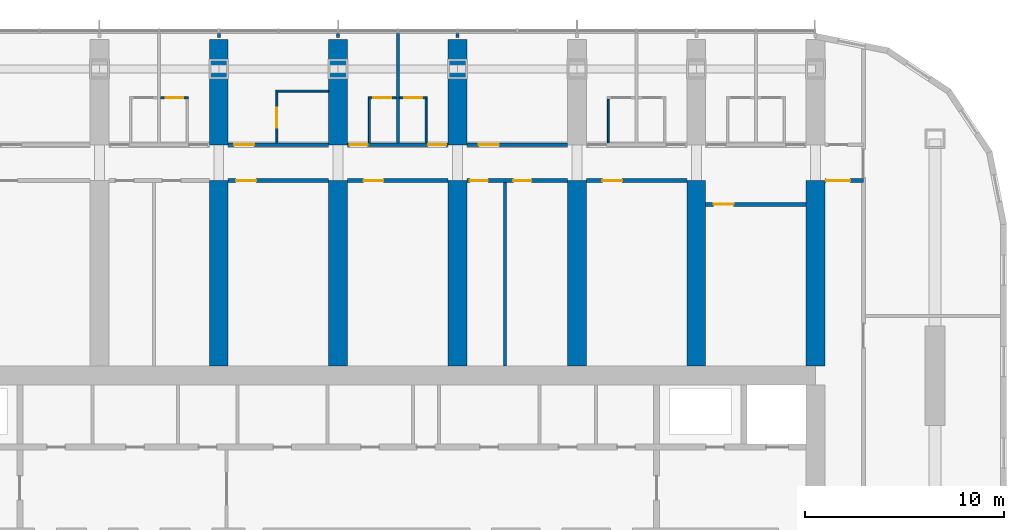
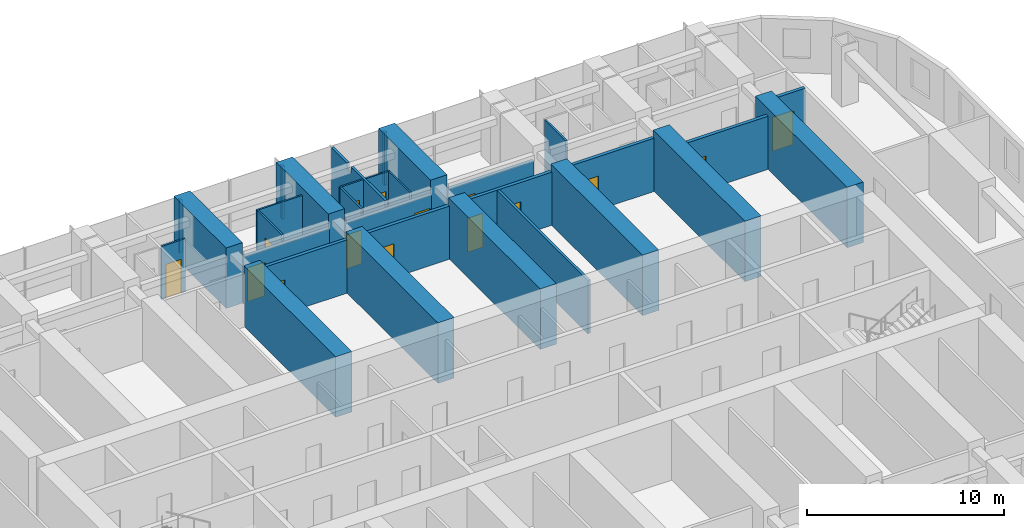
# One storey, part 14 of 21: 31 walls, 15 doors, 15 openings.
"""IFC4 building model written with IfcOpenShell, lengths in metres."""

from ifc_helpers import new_model, si_unit, direction, frame, frame_2d, origin, place, context, subcontext, project, spatial, polyline, rectangle, outline, extrude, material, layer, layer_set, type_object, element, fill, save


model = new_model("IFC4")

# Units and contexts
model_context = context("Model", 3, precision=1e-05, world=origin(), true_north=direction((0.0, 1.0)))
body_context = subcontext(model_context, "Body", "Model", "MODEL_VIEW")
ifc_project = project(units=[si_unit("LENGTHUNIT", "METRE"), si_unit("AREAUNIT", "SQUARE_METRE"), si_unit("VOLUMEUNIT", "CUBIC_METRE"), si_unit("PLANEANGLEUNIT", "RADIAN"), si_unit("MASSUNIT", "GRAM", prefix="KILO")], contexts=[model_context])

# Site, building, storey
site_placement = place(None, origin())
site = spatial("IfcSite", under=ifc_project, at=site_placement, CompositionType="ELEMENT")
building_placement = place(site_placement, origin())
building = spatial("IfcBuilding", under=site, at=building_placement, Name="Orbita Commons", CompositionType="ELEMENT")
storey_placement = place(building_placement, frame((0.0, 0.0, 95.64990234375)))
storey = spatial("IfcBuildingStorey", under=building, at=storey_placement, Name="L23", CompositionType="ELEMENT", Elevation=95.64990234375)

# Wall, opening, door
ifc_material_1 = material(Name="Concrete blockwork", Category="masonry")
ifc_layer_1 = layer(ifc_material_1, 0.199951171875)
ifc_layer_set_1 = layer_set([ifc_layer_1], Name="Concrete blockwork")
wall_type_1 = type_object("IfcWallType", Name="Corridor wall 200 blockwork", PredefinedType="SOLIDWALL", material=ifc_layer_set_1)
wall_1_placement = place(storey_placement, frame((36.47509765625, 49.800048828125, 0.0), z_axis=(0.0, 0.0, 1.0), x_axis=(1.0, 0.0, 0.0)))
wall_1 = element("IfcWall", 1, at=wall_1_placement, inside=storey, type_object=wall_type_1, Name="Corridor wall 200 blockwork L23", PredefinedType="SOLIDWALL", context=body_context, shape_type="SweptSolid", body=[
    extrude(outline(polyline([(0.0, 0.0), (5.0498046875, 0.0), (5.050048828125, 2.900146484375), (0.0, 2.900146484375), (0.0, 0.0)])), frame((0.0, 0.10009765625, 0.0), z_axis=(0.0, -1.0, 0.0), x_axis=(1.0, 0.0, 0.0)), (0.0, 0.0, 1.0), 0.199951171875),
])
opening_1_placement = place(wall_1_placement, frame((0.300048828125, 0.0, 0.0)))
opening_1 = element("IfcOpeningElement", 2, at=opening_1_placement, cuts=wall_1, Name="Opening D06", PredefinedType="OPENING", context=body_context, shape_type="SweptSolid", body=[
    extrude(rectangle(XDim=1.0, YDim=2.10009765625, at=frame_2d((0.5, 1.050048828125))), frame((0.0, 0.10986328125, 0.0), z_axis=(0.0, -1.0, 0.0), x_axis=(1.0, 0.0, 0.0)), (0.0, 0.0, 1.0), 0.219970703125),
])
ifc_material_2 = material(Name="Steel-faced fire door leaf", Category="steel")
door_type_1 = type_object("IfcDoorType", Name="Corridor door 20 min 1000x2100", OperationType="SINGLE_SWING_LEFT", PredefinedType="DOOR", material=ifc_material_2)
door_1_placement = place(opening_1_placement, origin())
door_1 = element("IfcDoor", 3, at=door_1_placement, inside=storey, type_object=door_type_1, Name="Accessible bedroom L23-N08 door", OperationType="SINGLE_SWING_LEFT", OverallHeight=2.10009765625, OverallWidth=1.0, PredefinedType="DOOR", context=body_context, shape_type="SweptSolid", body=[
    extrude(rectangle(XDim=1.0, YDim=2.10009765625, at=frame_2d((0.5, 1.050048828125))), frame((0.0, 0.02490234375, 0.0), z_axis=(0.0, -1.0, 0.0), x_axis=(1.0, 0.0, 0.0)), (0.0, 0.0, 1.0), 0.050048828125),
])
fill(opening_1, door_1)

# Wall, openings, doors
wall_2_placement = place(storey_placement, frame((42.47509765625, 49.800048828125, 0.0), z_axis=(0.0, 0.0, 1.0), x_axis=(1.0, 0.0, 0.0)))
wall_2 = element("IfcWall", 4, at=wall_2_placement, inside=storey, type_object=wall_type_1, Name="Corridor wall 200 blockwork L23", PredefinedType="SOLIDWALL", context=body_context, shape_type="SweptSolid", body=[
    extrude(outline(polyline([(0.0, 0.0), (5.0498046875, 0.0), (5.050048828125, 2.900146484375), (0.0, 2.900146484375), (0.0, 0.0)])), frame((0.0, 0.10009765625, 0.0), z_axis=(0.0, -1.0, 0.0), x_axis=(1.0, 0.0, 0.0)), (0.0, 0.0, 1.0), 0.199951171875),
])
opening_2_placement = place(wall_2_placement, frame((0.10009765625, 0.0, 0.0)))
opening_2 = element("IfcOpeningElement", 5, at=opening_2_placement, cuts=wall_2, Name="Opening D11", PredefinedType="OPENING", context=body_context, shape_type="SweptSolid", body=[
    extrude(rectangle(XDim=0.89990234375, YDim=2.10009765625, at=frame_2d((0.449951171875, 1.050048828125))), frame((0.0, 0.10986328125, 0.0), z_axis=(0.0, -1.0, 0.0), x_axis=(1.0, 0.0, 0.0)), (0.0, 0.0, 1.0), 0.219970703125),
])
opening_3_placement = place(wall_2_placement, frame((4.050048828125, 0.0, 0.0)))
opening_3 = element("IfcOpeningElement", 6, at=opening_3_placement, cuts=wall_2, Name="Opening D11", PredefinedType="OPENING", context=body_context, shape_type="SweptSolid", body=[
    extrude(rectangle(XDim=0.89990234375, YDim=2.10009765625, at=frame_2d((0.449951171875, 1.050048828125))), frame((0.0, 0.10986328125, 0.0), z_axis=(0.0, -1.0, 0.0), x_axis=(1.0, 0.0, 0.0)), (0.0, 0.0, 1.0), 0.219970703125),
])
ifc_material_3 = material(Name="Steel-faced fire door leaf", Category="steel")
door_type_2 = type_object("IfcDoorType", Name="Corridor door 20 min 900x2100", OperationType="SINGLE_SWING_LEFT", PredefinedType="DOOR", material=ifc_material_3)
door_2_placement = place(opening_2_placement, origin())
door_2 = element("IfcDoor", 7, at=door_2_placement, inside=storey, type_object=door_type_2, Name="Cluster bedroom L23-N10 door", OperationType="SINGLE_SWING_LEFT", OverallHeight=2.10009765625, OverallWidth=0.89990234375, PredefinedType="DOOR", context=body_context, shape_type="SweptSolid", body=[
    extrude(rectangle(XDim=0.89990234375, YDim=2.10009765625, at=frame_2d((0.449951171875, 1.050048828125))), frame((0.0, 0.02490234375, 0.0), z_axis=(0.0, -1.0, 0.0), x_axis=(1.0, 0.0, 0.0)), (0.0, 0.0, 1.0), 0.050048828125),
])
fill(opening_2, door_2)
door_3_placement = place(opening_3_placement, origin())
door_3 = element("IfcDoor", 8, at=door_3_placement, inside=storey, type_object=door_type_2, Name="Cluster bedroom L23-N11 door", OperationType="SINGLE_SWING_LEFT", OverallHeight=2.10009765625, OverallWidth=0.89990234375, PredefinedType="DOOR", context=body_context, shape_type="SweptSolid", body=[
    extrude(rectangle(XDim=0.89990234375, YDim=2.10009765625, at=frame_2d((0.449951171875, 1.050048828125))), frame((0.0, 0.02490234375, 0.0), z_axis=(0.0, -1.0, 0.0), x_axis=(1.0, 0.0, 0.0)), (0.0, 0.0, 1.0), 0.050048828125),
])
fill(opening_3, door_3)

# Wall, opening, door
wall_3_placement = place(storey_placement, frame((48.47509765625, 49.800048828125, 0.0), z_axis=(0.0, 0.0, 1.0), x_axis=(1.0, 0.0, 0.0)))
wall_3 = element("IfcWall", 9, at=wall_3_placement, inside=storey, type_object=wall_type_1, Name="Corridor wall 200 blockwork L23", PredefinedType="SOLIDWALL", context=body_context, shape_type="SweptSolid", body=[
    extrude(outline(polyline([(0.0, 0.0), (5.0498046875, 0.0), (5.050048828125, 2.900146484375), (0.0, 2.900146484375), (0.0, 0.0)])), frame((0.0, 0.10009765625, 0.0), z_axis=(0.0, -1.0, 0.0), x_axis=(1.0, 0.0, 0.0)), (0.0, 0.0, 1.0), 0.199951171875),
])
opening_4_placement = place(wall_3_placement, frame((0.60009765625, 0.0, 0.0)))
opening_4 = element("IfcOpeningElement", 10, at=opening_4_placement, cuts=wall_3, Name="Opening D06", PredefinedType="OPENING", context=body_context, shape_type="SweptSolid", body=[
    extrude(rectangle(XDim=1.0, YDim=2.10009765625, at=frame_2d((0.5, 1.050048828125))), frame((0.0, 0.10986328125, 0.0), z_axis=(0.0, -1.0, 0.0), x_axis=(1.0, 0.0, 0.0)), (0.0, 0.0, 1.0), 0.219970703125),
])
door_4_placement = place(opening_4_placement, origin())
door_4 = element("IfcDoor", 11, at=door_4_placement, inside=storey, type_object=door_type_1, Name="Cluster kitchen-diner L23-N12 door", OperationType="SINGLE_SWING_LEFT", OverallHeight=2.10009765625, OverallWidth=1.0, PredefinedType="DOOR", context=body_context, shape_type="SweptSolid", body=[
    extrude(rectangle(XDim=1.0, YDim=2.10009765625, at=frame_2d((0.5, 1.050048828125))), frame((0.0, 0.02490234375, 0.0), z_axis=(0.0, -1.0, 0.0), x_axis=(1.0, 0.0, 0.0)), (0.0, 0.0, 1.0), 0.050048828125),
])
fill(opening_4, door_4)

ifc_material_4 = material(Name="Hollow concrete block 200", Category="concrete")
ifc_layer_2 = layer(ifc_material_4, 0.199951171875)
ifc_layer_set_2 = layer_set([ifc_layer_2], Name="Hollow concrete block 200")
wall_type_2 = type_object("IfcWallType", Name="Corridor wall 200 hollow concrete block", PredefinedType="SOLIDWALL", material=ifc_layer_set_2)
wall_4_placement = place(storey_placement, frame((36.47509765625, 48.0, 0.0), z_axis=(0.0, 0.0, 1.0), x_axis=(1.0, 0.0, 0.0)))
wall_4 = element("IfcWall", 12, at=wall_4_placement, inside=storey, type_object=wall_type_2, Name="Corridor wall 200 hollow concrete block L23", PredefinedType="SOLIDWALL", context=body_context, shape_type="SweptSolid", body=[
    extrude(rectangle(XDim=5.0498046875, YDim=0.199951171875, at=frame_2d((2.52490234375, 0.0))), origin(), (0.0, 0.0, 1.0), 3.300048828125),
])
opening_5_placement = place(wall_4_placement, frame((0.39990234375, 0.0, 0.0)))
opening_5 = element("IfcOpeningElement", 13, at=opening_5_placement, cuts=wall_4, Name="Opening D06", PredefinedType="OPENING", context=body_context, shape_type="SweptSolid", body=[
    extrude(rectangle(XDim=1.0, YDim=2.10009765625, at=frame_2d((0.5, 1.050048828125))), frame((0.0, 0.10986328125, 0.0), z_axis=(0.0, -1.0, 0.0), x_axis=(1.0, 0.0, 0.0)), (0.0, 0.0, 1.0), 0.219970703125),
])
door_5_placement = place(opening_5_placement, origin())
door_5 = element("IfcDoor", 14, at=door_5_placement, inside=storey, type_object=door_type_1, Name="Refuse and recycling room L23-BDN36 door", OperationType="SINGLE_SWING_LEFT", OverallHeight=2.10009765625, OverallWidth=1.0, PredefinedType="DOOR", context=body_context, shape_type="SweptSolid", body=[
    extrude(rectangle(XDim=1.0, YDim=2.10009765625, at=frame_2d((0.5, 1.050048828125))), frame((0.0, 0.02490234375, 0.0), z_axis=(0.0, -1.0, 0.0), x_axis=(1.0, 0.0, 0.0)), (0.0, 0.0, 1.0), 0.050048828125),
])
fill(opening_5, door_5)

wall_5_placement = place(storey_placement, frame((42.47509765625, 48.0, 0.0), z_axis=(0.0, 0.0, 1.0), x_axis=(1.0, 0.0, 0.0)))
wall_5 = element("IfcWall", 15, at=wall_5_placement, inside=storey, type_object=wall_type_2, Name="Corridor wall 200 hollow concrete block L23", PredefinedType="SOLIDWALL", context=body_context, shape_type="SweptSolid", body=[
    extrude(rectangle(XDim=5.0498046875, YDim=0.199951171875, at=frame_2d((2.52490234375, 0.0))), origin(), (0.0, 0.0, 1.0), 3.300048828125),
])
opening_6_placement = place(wall_5_placement, frame((0.800048828125, 0.0, 0.0)))
opening_6 = element("IfcOpeningElement", 16, at=opening_6_placement, cuts=wall_5, Name="Opening D06", PredefinedType="OPENING", context=body_context, shape_type="SweptSolid", body=[
    extrude(rectangle(XDim=1.0, YDim=2.10009765625, at=frame_2d((0.5, 1.050048828125))), frame((0.0, 0.10986328125, 0.0), z_axis=(0.0, -1.0, 0.0), x_axis=(1.0, 0.0, 0.0)), (0.0, 0.0, 1.0), 0.219970703125),
])
door_6_placement = place(opening_6_placement, origin())
door_6 = element("IfcDoor", 17, at=door_6_placement, inside=storey, type_object=door_type_1, Name="Drying room L23-BDN42 door", OperationType="SINGLE_SWING_LEFT", OverallHeight=2.10009765625, OverallWidth=1.0, PredefinedType="DOOR", context=body_context, shape_type="SweptSolid", body=[
    extrude(rectangle(XDim=1.0, YDim=2.10009765625, at=frame_2d((0.5, 1.050048828125))), frame((0.0, 0.02490234375, 0.0), z_axis=(0.0, -1.0, 0.0), x_axis=(1.0, 0.0, 0.0)), (0.0, 0.0, 1.0), 0.050048828125),
])
fill(opening_6, door_6)

# Wall, openings, doors
wall_6_placement = place(storey_placement, frame((48.47509765625, 48.0, 0.0), z_axis=(0.0, 0.0, 1.0), x_axis=(1.0, 0.0, 0.0)))
wall_6 = element("IfcWall", 18, at=wall_6_placement, inside=storey, type_object=wall_type_2, Name="Corridor wall 200 hollow concrete block L23", PredefinedType="SOLIDWALL", context=body_context, shape_type="SweptSolid", body=[
    extrude(rectangle(XDim=5.0498046875, YDim=0.199951171875, at=frame_2d((2.52490234375, 0.0))), origin(), (0.0, 0.0, 1.0), 3.300048828125),
])
opening_7_placement = place(wall_6_placement, frame((0.14990234375, 0.0, 0.0)))
opening_7 = element("IfcOpeningElement", 19, at=opening_7_placement, cuts=wall_6, Name="Opening D11", PredefinedType="OPENING", context=body_context, shape_type="SweptSolid", body=[
    extrude(rectangle(XDim=0.89990234375, YDim=2.10009765625, at=frame_2d((0.449951171875, 1.050048828125))), frame((0.0, 0.10986328125, 0.0), z_axis=(0.0, -1.0, 0.0), x_axis=(1.0, 0.0, 0.0)), (0.0, 0.0, 1.0), 0.219970703125),
])
opening_8_placement = place(wall_6_placement, frame((2.3349609375, 0.0, 0.0)))
opening_8 = element("IfcOpeningElement", 20, at=opening_8_placement, cuts=wall_6, Name="Opening D11", PredefinedType="OPENING", context=body_context, shape_type="SweptSolid", body=[
    extrude(rectangle(XDim=0.89990234375, YDim=2.10009765625, at=frame_2d((0.449951171875, 1.050048828125))), frame((0.0, 0.10986328125, 0.0), z_axis=(0.0, -1.0, 0.0), x_axis=(1.0, 0.0, 0.0)), (0.0, 0.0, 1.0), 0.219970703125),
])
door_7_placement = place(opening_7_placement, origin())
door_7 = element("IfcDoor", 21, at=door_7_placement, inside=storey, type_object=door_type_2, Name="Battery and UPS room L23-BDN48n door", OperationType="SINGLE_SWING_LEFT", OverallHeight=2.10009765625, OverallWidth=0.89990234375, PredefinedType="DOOR", context=body_context, shape_type="SweptSolid", body=[
    extrude(rectangle(XDim=0.89990234375, YDim=2.10009765625, at=frame_2d((0.449951171875, 1.050048828125))), frame((0.0, 0.02490234375, 0.0), z_axis=(0.0, -1.0, 0.0), x_axis=(1.0, 0.0, 0.0)), (0.0, 0.0, 1.0), 0.050048828125),
])
fill(opening_7, door_7)
door_8_placement = place(opening_8_placement, origin())
door_8 = element("IfcDoor", 22, at=door_8_placement, inside=storey, type_object=door_type_2, Name="Cleaners store L23-BDN48 door", OperationType="SINGLE_SWING_LEFT", OverallHeight=2.10009765625, OverallWidth=0.89990234375, PredefinedType="DOOR", context=body_context, shape_type="SweptSolid", body=[
    extrude(rectangle(XDim=0.89990234375, YDim=2.10009765625, at=frame_2d((0.449951171875, 1.050048828125))), frame((0.0, 0.02490234375, 0.0), z_axis=(0.0, -1.0, 0.0), x_axis=(1.0, 0.0, 0.0)), (0.0, 0.0, 1.0), 0.050048828125),
])
fill(opening_8, door_8)

# Wall, opening, door
wall_7_placement = place(storey_placement, frame((54.47509765625, 48.0, 0.0), z_axis=(0.0, 0.0, 1.0), x_axis=(1.0, 0.0, 0.0)))
wall_7 = element("IfcWall", 23, at=wall_7_placement, inside=storey, type_object=wall_type_2, Name="Corridor wall 200 hollow concrete block L23", PredefinedType="SOLIDWALL", context=body_context, shape_type="SweptSolid", body=[
    extrude(rectangle(XDim=5.0498046875, YDim=0.199951171875, at=frame_2d((2.52490234375, 0.0))), origin(), (0.0, 0.0, 1.0), 3.300048828125),
])
opening_9_placement = place(wall_7_placement, frame((0.800048828125, 0.0, 0.0)))
opening_9 = element("IfcOpeningElement", 24, at=opening_9_placement, cuts=wall_7, Name="Opening D06", PredefinedType="OPENING", context=body_context, shape_type="SweptSolid", body=[
    extrude(rectangle(XDim=1.0, YDim=2.10009765625, at=frame_2d((0.5, 1.050048828125))), frame((0.0, 0.10986328125, 0.0), z_axis=(0.0, -1.0, 0.0), x_axis=(1.0, 0.0, 0.0)), (0.0, 0.0, 1.0), 0.219970703125),
])
door_9_placement = place(opening_9_placement, origin())
door_9 = element("IfcDoor", 25, at=door_9_placement, inside=storey, type_object=door_type_1, Name="Store L23-BDN54 door", OperationType="SINGLE_SWING_LEFT", OverallHeight=2.10009765625, OverallWidth=1.0, PredefinedType="DOOR", context=body_context, shape_type="SweptSolid", body=[
    extrude(rectangle(XDim=1.0, YDim=2.10009765625, at=frame_2d((0.5, 1.050048828125))), frame((0.0, 0.02490234375, 0.0), z_axis=(0.0, -1.0, 0.0), x_axis=(1.0, 0.0, 0.0)), (0.0, 0.0, 1.0), 0.050048828125),
])
fill(opening_9, door_9)

wall_8_placement = place(storey_placement, frame((66.47509765625, 48.0, 0.0), z_axis=(0.0, 0.0, 1.0), x_axis=(1.0, 0.0, 0.0)))
wall_8 = element("IfcWall", 26, at=wall_8_placement, inside=storey, type_object=wall_type_2, Name="Corridor wall 200 hollow concrete block L23", PredefinedType="SOLIDWALL", context=body_context, shape_type="SweptSolid", body=[
    extrude(rectangle(XDim=1.9248046875, YDim=0.199951171875, at=frame_2d((0.96240234375, 0.0))), origin(), (0.0, 0.0, 1.0), 3.300048828125),
])
opening_10_placement = place(wall_8_placement, frame((0.050048828125, 0.0, 0.0)))
opening_10 = element("IfcOpeningElement", 27, at=opening_10_placement, cuts=wall_8, Name="Opening D12", PredefinedType="OPENING", context=body_context, shape_type="SweptSolid", body=[
    extrude(rectangle(XDim=1.199951171875, YDim=2.10009765625, at=frame_2d((0.60009765625, 1.050048828125))), frame((0.0, 0.10986328125, 0.0), z_axis=(0.0, -1.0, 0.0), x_axis=(1.0, 0.0, 0.0)), (0.0, 0.0, 1.0), 0.219970703125),
])
ifc_material_5 = material(Name="Steel-faced fire door leaf", Category="steel")
door_type_3 = type_object("IfcDoorType", Name="Double corridor door 20 min 1200x2100", OperationType="DOUBLE_DOOR_SINGLE_SWING", PredefinedType="DOOR", material=ifc_material_5)
door_10_placement = place(opening_10_placement, origin())
door_10 = element("IfcDoor", 28, at=door_10_placement, inside=storey, type_object=door_type_3, Name="Cross corridor doors", OperationType="DOUBLE_DOOR_SINGLE_SWING", OverallHeight=2.10009765625, OverallWidth=1.199951171875, PredefinedType="DOOR", context=body_context, shape_type="SweptSolid", body=[
    extrude(rectangle(XDim=1.199951171875, YDim=2.10009765625, at=frame_2d((0.60009765625, 1.050048828125))), frame((0.0, 0.02490234375, 0.0), z_axis=(0.0, -1.0, 0.0), x_axis=(1.0, 0.0, 0.0)), (0.0, 0.0, 1.0), 0.050048828125),
])
fill(opening_10, door_10)

wall_9_placement = place(storey_placement, frame((60.47509765625, 46.800048828125, 0.0), z_axis=(0.0, 0.0, 1.0), x_axis=(1.0, 0.0, 0.0)))
wall_9 = element("IfcWall", 29, at=wall_9_placement, inside=storey, type_object=wall_type_2, Name="Corridor wall 200 hollow concrete block L23", PredefinedType="SOLIDWALL", context=body_context, shape_type="SweptSolid", body=[
    extrude(rectangle(XDim=5.0498046875, YDim=0.199951171875, at=frame_2d((2.52490234375, 0.0))), origin(), (0.0, 0.0, 1.0), 3.300048828125),
])
opening_11_placement = place(wall_9_placement, frame((0.39990234375, 0.0, 0.0)))
opening_11 = element("IfcOpeningElement", 30, at=opening_11_placement, cuts=wall_9, Name="Opening D06", PredefinedType="OPENING", context=body_context, shape_type="SweptSolid", body=[
    extrude(rectangle(XDim=1.0, YDim=2.10009765625, at=frame_2d((0.5, 1.050048828125))), frame((0.0, 0.10986328125, 0.0), z_axis=(0.0, -1.0, 0.0), x_axis=(1.0, 0.0, 0.0)), (0.0, 0.0, 1.0), 0.219970703125),
])
door_11_placement = place(opening_11_placement, origin())
door_11 = element("IfcDoor", 31, at=door_11_placement, inside=storey, type_object=door_type_1, Name="Storage lockers L23-BDN60 door", OperationType="SINGLE_SWING_LEFT", OverallHeight=2.10009765625, OverallWidth=1.0, PredefinedType="DOOR", context=body_context, shape_type="SweptSolid", body=[
    extrude(rectangle(XDim=1.0, YDim=2.10009765625, at=frame_2d((0.5, 1.050048828125))), frame((0.0, 0.02490234375, 0.0), z_axis=(0.0, -1.0, 0.0), x_axis=(1.0, 0.0, 0.0)), (0.0, 0.0, 1.0), 0.050048828125),
])
fill(opening_11, door_11)

# Walls
ifc_material_6 = material(Name="Concrete C50/60", Category="concrete")
ifc_layer_3 = layer(ifc_material_6, 0.949951171875)
ifc_layer_set_3 = layer_set([ifc_layer_3], Name="Concrete C50/60")
wall_type_3 = type_object("IfcWallType", Name="Cross wall 950 C50/60", PredefinedType="SHEAR", material=ifc_layer_set_3)
wall_10_placement = place(storey_placement, frame((36.0, 49.800048828125, 0.0), z_axis=(0.0, 0.0, 1.0), x_axis=(0.0, 1.0, 0.0)))
element("IfcWall", 32, at=wall_10_placement, inside=storey, type_object=wall_type_3, Name="Cross wall 7 north outer L23", PredefinedType="SHEAR", context=body_context, shape_type="SweptSolid", body=[
    extrude(rectangle(XDim=5.300048828125, YDim=0.949951171875, at=frame_2d((2.64990234375, 0.0))), origin(), (0.0, 0.0, 1.0), 3.75),
])
wall_11_placement = place(storey_placement, frame((36.0, 38.675048828125, 0.0), z_axis=(0.0, 0.0, 1.0), x_axis=(0.0, 1.0, 0.0)))
element("IfcWall", 33, at=wall_11_placement, inside=storey, type_object=wall_type_3, Name="Cross wall 7 north inner L23", PredefinedType="SHEAR", context=body_context, shape_type="SweptSolid", body=[
    extrude(rectangle(XDim=9.324951171875, YDim=0.949951171875, at=frame_2d((4.66259765625, 0.0))), origin(), (0.0, 0.0, 1.0), 3.75),
])
wall_12_placement = place(storey_placement, frame((42.0, 49.800048828125, 0.0), z_axis=(0.0, 0.0, 1.0), x_axis=(0.0, 1.0, 0.0)))
element("IfcWall", 34, at=wall_12_placement, inside=storey, type_object=wall_type_3, Name="Cross wall 8 north outer L23", PredefinedType="SHEAR", context=body_context, shape_type="SweptSolid", body=[
    extrude(rectangle(XDim=5.300048828125, YDim=0.949951171875, at=frame_2d((2.64990234375, 0.0))), origin(), (0.0, 0.0, 1.0), 3.75),
])
wall_13_placement = place(storey_placement, frame((42.0, 38.675048828125, 0.0), z_axis=(0.0, 0.0, 1.0), x_axis=(0.0, 1.0, 0.0)))
element("IfcWall", 35, at=wall_13_placement, inside=storey, type_object=wall_type_3, Name="Cross wall 8 north inner L23", PredefinedType="SHEAR", context=body_context, shape_type="SweptSolid", body=[
    extrude(rectangle(XDim=9.324951171875, YDim=0.949951171875, at=frame_2d((4.66259765625, 0.0))), origin(), (0.0, 0.0, 1.0), 3.75),
])
wall_14_placement = place(storey_placement, frame((48.0, 49.800048828125, 0.0), z_axis=(0.0, 0.0, 1.0), x_axis=(0.0, 1.0, 0.0)))
element("IfcWall", 36, at=wall_14_placement, inside=storey, type_object=wall_type_3, Name="Cross wall 9 north outer L23", PredefinedType="SHEAR", context=body_context, shape_type="SweptSolid", body=[
    extrude(rectangle(XDim=5.300048828125, YDim=0.949951171875, at=frame_2d((2.64990234375, 0.0))), origin(), (0.0, 0.0, 1.0), 3.75),
])
for number, where, z_axis, x_axis, name in (
    (37, (48.0, 38.675048828125, 0.0), (0.0, 0.0, 1.0), (0.0, 1.0, 0.0), "Cross wall 9 north inner L23"),
    (38, (54.0, 38.675048828125, 0.0), (0.0, 0.0, 1.0), (0.0, 1.0, 0.0), "Cross wall 10 north inner L23"),
    (39, (60.0, 38.675048828125, 0.0), (0.0, 0.0, 1.0), (0.0, 1.0, 0.0), "Cross wall 11 north inner L23"),
    (40, (66.0, 38.675048828125, 0.0), (0.0, 0.0, 1.0), (0.0, 1.0, 0.0), "Cross wall 12 north inner L23"),
):
    element("IfcWall", number, at=place(storey_placement, frame(where, z_axis=z_axis, x_axis=x_axis)), inside=storey, type_object=wall_type_3, Name=name, PredefinedType="SHEAR", context=body_context, shape_type="SweptSolid", body=[
        extrude(rectangle(XDim=9.324951171875, YDim=0.949951171875, at=frame_2d((4.66259765625, 0.0))), origin(), (0.0, 0.0, 1.0), 3.75),
    ])

# Wall, opening, door
ifc_material_7 = material(Name="Moisture-resistant plasterboard on steel studs", Category="steel")
ifc_layer_4 = layer(ifc_material_7, 0.10009765625)
ifc_layer_set_4 = layer_set([ifc_layer_4], Name="Moisture-resistant plasterboard on steel studs")
wall_type_4 = type_object("IfcWallType", Name="En-suite partition 100", PredefinedType="PARTITIONING", material=ifc_layer_set_4)
wall_15_placement = place(storey_placement, frame((33.074951171875, 52.1591796875, 0.0), z_axis=(0.0, 0.0, 1.0), x_axis=(1.0, 0.0, 0.0)))
wall_15 = element("IfcWall", 41, at=wall_15_placement, inside=storey, type_object=wall_type_4, Name="En-suite partition 100 L23", PredefinedType="PARTITIONING", context=body_context, shape_type="SweptSolid", body=[
    extrude(rectangle(XDim=1.400146484375, YDim=0.10009765625, at=frame_2d((0.7001953125, 0.0))), origin(), (0.0, 0.0, 1.0), 3.300048828125),
])
opening_12_placement = place(wall_15_placement, frame((0.25, 0.0, 0.0)))
opening_12 = element("IfcOpeningElement", 42, at=opening_12_placement, cuts=wall_15, Name="Opening D09", PredefinedType="OPENING", context=body_context, shape_type="SweptSolid", body=[
    extrude(rectangle(XDim=0.89990234375, YDim=2.10009765625, at=frame_2d((0.449951171875, 1.050048828125))), frame((0.0, 0.06005859375, 0.0), z_axis=(0.0, -1.0, 0.0), x_axis=(1.0, 0.0, 0.0)), (0.0, 0.0, 1.0), 0.1201171875),
])
ifc_material_8 = material(Name="Laminated timber door leaf", Category="wood")
door_type_4 = type_object("IfcDoorType", Name="En-suite door 900x2100", OperationType="SINGLE_SWING_RIGHT", PredefinedType="DOOR", material=ifc_material_8)
door_12_placement = place(opening_12_placement, origin())
door_12 = element("IfcDoor", 43, at=door_12_placement, inside=storey, type_object=door_type_4, Name="En-suite L23-N07 door", OperationType="SINGLE_SWING_RIGHT", OverallHeight=2.10009765625, OverallWidth=0.89990234375, PredefinedType="DOOR", context=body_context, shape_type="SweptSolid", body=[
    extrude(rectangle(XDim=0.89990234375, YDim=2.10009765625, at=frame_2d((0.449951171875, 1.050048828125))), frame((0.0, 0.02490234375, 0.0), z_axis=(0.0, -1.0, 0.0), x_axis=(1.0, 0.0, 0.0)), (0.0, 0.0, 1.0), 0.050048828125),
])
fill(opening_12, door_12)

# Wall
wall_16_placement = place(storey_placement, frame((38.875, 52.5, 0.0), z_axis=(0.0, 0.0, 1.0), x_axis=(1.0, 0.0, 0.0)))
element("IfcWall", 44, at=wall_16_placement, inside=storey, type_object=wall_type_4, Name="En-suite partition 100 L23", PredefinedType="PARTITIONING", context=body_context, shape_type="SweptSolid", body=[
    extrude(rectangle(XDim=2.64990234375, YDim=0.10009765625, at=frame_2d((1.324951171875, 0.0))), origin(), (0.0, 0.0, 1.0), 3.300048828125),
])

# Wall, opening, door
wall_17_placement = place(storey_placement, frame((38.925048828125, 52.449951171875, 0.0), z_axis=(0.0, 0.0, 1.0), x_axis=(0.0, -1.0, 0.0)))
wall_17 = element("IfcWall", 45, at=wall_17_placement, inside=storey, type_object=wall_type_4, Name="En-suite partition 100 L23", PredefinedType="PARTITIONING", context=body_context, shape_type="SweptSolid", body=[
    extrude(outline(polyline([(0.0, 0.0), (2.550048828125, 0.0), (2.550048828125, 2.900146484375), (2.501953125, 2.900146484375), (2.5, 3.300048828125), (0.0, 3.300048828125), (0.0, 0.0)])), frame((0.0, 0.050048828125, 0.0), z_axis=(0.0, -1.0, 0.0), x_axis=(1.0, 0.0, 0.0)), (0.0, 0.0, 1.0), 0.10009765625),
])
opening_13_placement = place(wall_17_placement, frame((0.800048828125, 0.0, 0.0)))
opening_13 = element("IfcOpeningElement", 46, at=opening_13_placement, cuts=wall_17, Name="Opening D13", PredefinedType="OPENING", context=body_context, shape_type="SweptSolid", body=[
    extrude(rectangle(XDim=1.0, YDim=2.10009765625, at=frame_2d((0.5, 1.050048828125))), frame((0.0, 0.06005859375, 0.0), z_axis=(0.0, -1.0, 0.0), x_axis=(1.0, 0.0, 0.0)), (0.0, 0.0, 1.0), 0.1201171875),
])
ifc_material_9 = material(Name="Laminated timber door leaf", Category="wood")
door_type_5 = type_object("IfcDoorType", Name="En-suite door 1000x2100", OperationType="SINGLE_SWING_RIGHT", PredefinedType="DOOR", material=ifc_material_9)
door_13_placement = place(opening_13_placement, origin())
door_13 = element("IfcDoor", 47, at=door_13_placement, inside=storey, type_object=door_type_5, Name="Accessible shower room L23-N08 door", OperationType="SINGLE_SWING_RIGHT", OverallHeight=2.10009765625, OverallWidth=1.0, PredefinedType="DOOR", context=body_context, shape_type="SweptSolid", body=[
    extrude(rectangle(XDim=1.0, YDim=2.10009765625, at=frame_2d((0.5, 1.050048828125))), frame((0.0, 0.02490234375, 0.0), z_axis=(0.0, -1.0, 0.0), x_axis=(1.0, 0.0, 0.0)), (0.0, 0.0, 1.0), 0.050048828125),
])
fill(opening_13, door_13)

wall_18_placement = place(storey_placement, frame((43.52490234375, 52.1591796875, 0.0), z_axis=(0.0, 0.0, 1.0), x_axis=(1.0, 0.0, 0.0)))
wall_18 = element("IfcWall", 48, at=wall_18_placement, inside=storey, type_object=wall_type_4, Name="En-suite partition 100 L23", PredefinedType="PARTITIONING", context=body_context, shape_type="SweptSolid", body=[
    extrude(rectangle(XDim=1.400146484375, YDim=0.10009765625, at=frame_2d((0.7001953125, 0.0))), origin(), (0.0, 0.0, 1.0), 3.300048828125),
])
opening_14_placement = place(wall_18_placement, frame((0.25, 0.0, 0.0)))
opening_14 = element("IfcOpeningElement", 49, at=opening_14_placement, cuts=wall_18, Name="Opening D09", PredefinedType="OPENING", context=body_context, shape_type="SweptSolid", body=[
    extrude(rectangle(XDim=0.89990234375, YDim=2.10009765625, at=frame_2d((0.449951171875, 1.050048828125))), frame((0.0, 0.06005859375, 0.0), z_axis=(0.0, -1.0, 0.0), x_axis=(1.0, 0.0, 0.0)), (0.0, 0.0, 1.0), 0.1201171875),
])
door_14_placement = place(opening_14_placement, origin())
door_14 = element("IfcDoor", 50, at=door_14_placement, inside=storey, type_object=door_type_4, Name="En-suite L23-N10 door", OperationType="SINGLE_SWING_RIGHT", OverallHeight=2.10009765625, OverallWidth=0.89990234375, PredefinedType="DOOR", context=body_context, shape_type="SweptSolid", body=[
    extrude(rectangle(XDim=0.89990234375, YDim=2.10009765625, at=frame_2d((0.449951171875, 1.050048828125))), frame((0.0, 0.02490234375, 0.0), z_axis=(0.0, -1.0, 0.0), x_axis=(1.0, 0.0, 0.0)), (0.0, 0.0, 1.0), 0.050048828125),
])
fill(opening_14, door_14)

# Wall
wall_19_placement = place(storey_placement, frame((43.574951171875, 52.109375, 0.0), z_axis=(0.0, 0.0, 1.0), x_axis=(0.0, -1.0, 0.0)))
element("IfcWall", 51, at=wall_19_placement, inside=storey, type_object=wall_type_4, Name="En-suite partition 100 L23", PredefinedType="PARTITIONING", context=body_context, shape_type="SweptSolid", body=[
    extrude(outline(polyline([(0.0, 0.0), (2.20947265625, 0.0), (2.209228515625, 2.900146484375), (2.161376953125, 2.900146484375), (2.1591796875, 3.300048828125), (0.0, 3.300048828125), (0.0, 0.0)])), frame((0.0, 0.050048828125, 0.0), z_axis=(0.0, -1.0, 0.0), x_axis=(1.0, 0.0, 0.0)), (0.0, 0.0, 1.0), 0.10009765625),
])

# Wall, opening, door
wall_20_placement = place(storey_placement, frame((45.074951171875, 52.1591796875, 0.0), z_axis=(0.0, 0.0, 1.0), x_axis=(1.0, 0.0, 0.0)))
wall_20 = element("IfcWall", 52, at=wall_20_placement, inside=storey, type_object=wall_type_4, Name="En-suite partition 100 L23", PredefinedType="PARTITIONING", context=body_context, shape_type="SweptSolid", body=[
    extrude(rectangle(XDim=1.400146484375, YDim=0.10009765625, at=frame_2d((0.7001953125, 0.0))), origin(), (0.0, 0.0, 1.0), 3.300048828125),
])
opening_15_placement = place(wall_20_placement, frame((0.25, 0.0, 0.0)))
opening_15 = element("IfcOpeningElement", 53, at=opening_15_placement, cuts=wall_20, Name="Opening D09", PredefinedType="OPENING", context=body_context, shape_type="SweptSolid", body=[
    extrude(rectangle(XDim=0.89990234375, YDim=2.10009765625, at=frame_2d((0.449951171875, 1.050048828125))), frame((0.0, 0.06005859375, 0.0), z_axis=(0.0, -1.0, 0.0), x_axis=(1.0, 0.0, 0.0)), (0.0, 0.0, 1.0), 0.1201171875),
])
door_15_placement = place(opening_15_placement, origin())
door_15 = element("IfcDoor", 54, at=door_15_placement, inside=storey, type_object=door_type_4, Name="En-suite L23-N11 door", OperationType="SINGLE_SWING_RIGHT", OverallHeight=2.10009765625, OverallWidth=0.89990234375, PredefinedType="DOOR", context=body_context, shape_type="SweptSolid", body=[
    extrude(rectangle(XDim=0.89990234375, YDim=2.10009765625, at=frame_2d((0.449951171875, 1.050048828125))), frame((0.0, 0.02490234375, 0.0), z_axis=(0.0, -1.0, 0.0), x_axis=(1.0, 0.0, 0.0)), (0.0, 0.0, 1.0), 0.050048828125),
])
fill(opening_15, door_15)

# Walls
for number, where, z_axis, x_axis, name in (
    (55, (46.425048828125, 52.109375, 0.0), (0.0, 0.0, 1.0), (0.0, -1.0, 0.0), "En-suite partition 100 L23"),
    (56, (55.574951171875, 52.109375, 0.0), (0.0, 0.0, 1.0), (0.0, -1.0, 0.0), "En-suite partition 100 L23"),
):
    element("IfcWall", number, at=place(storey_placement, frame(where, z_axis=z_axis, x_axis=x_axis)), inside=storey, type_object=wall_type_4, Name=name, PredefinedType="PARTITIONING", context=body_context, shape_type="SweptSolid", body=[
        extrude(outline(polyline([(0.0, 0.0), (2.20947265625, 0.0), (2.209228515625, 2.900146484375), (2.161376953125, 2.900146484375), (2.1591796875, 3.300048828125), (0.0, 3.300048828125), (0.0, 0.0)])), frame((0.0, 0.050048828125, 0.0), z_axis=(0.0, -1.0, 0.0), x_axis=(1.0, 0.0, 0.0)), (0.0, 0.0, 1.0), 0.10009765625),
    ])
ifc_material_10 = material(Name="Gypsum plasterboard on steel studs", Category="steel")
ifc_layer_5 = layer(ifc_material_10, 0.14990234375)
ifc_layer_set_5 = layer_set([ifc_layer_5], Name="Gypsum plasterboard on steel studs")
wall_type_5 = type_object("IfcWallType", Name="Partition 150 plasterboard", PredefinedType="PARTITIONING", material=ifc_layer_set_5)
wall_21_placement = place(storey_placement, frame((50.385009765625, 38.675048828125, 0.0), z_axis=(0.0, 0.0, 1.0), x_axis=(0.0, 1.0, 0.0)))
element("IfcWall", 57, at=wall_21_placement, inside=storey, type_object=wall_type_5, Name="Partition 150 plasterboard L23", PredefinedType="PARTITIONING", context=body_context, shape_type="SweptSolid", body=[
    extrude(rectangle(XDim=9.224853515625, YDim=0.14990234375, at=frame_2d((4.6123046875, 0.0))), origin(), (0.0, 0.0, 1.0), 3.300048828125),
])
for number, where, z_axis, x_axis, name in (
    (58, (36.0, 55.199951171875, 0.0), (0.0, 0.0, 1.0), (0.0, 1.0, 0.0), "Partition 150 plasterboard L23"),
    (59, (42.0, 55.199951171875, 0.0), (0.0, 0.0, 1.0), (0.0, 1.0, 0.0), "Partition 150 plasterboard L23"),
    (60, (48.0, 55.199951171875, 0.0), (0.0, 0.0, 1.0), (0.0, 1.0, 0.0), "Partition 150 plasterboard L23"),
):
    element("IfcWall", number, at=place(storey_placement, frame(where, z_axis=z_axis, x_axis=x_axis)), inside=storey, type_object=wall_type_5, Name=name, PredefinedType="PARTITIONING", context=body_context, shape_type="SweptSolid", body=[
        extrude(rectangle(XDim=0.18994140625, YDim=0.14990234375, at=frame_2d((0.094970703125, 0.0))), origin(), (0.0, 0.0, 1.0), 3.300048828125),
    ])
ifc_material_11 = material(Name="Gypsum plasterboard on steel studs", Category="steel")
ifc_layer_6 = layer(ifc_material_11, 0.14990234375)
ifc_layer_set_6 = layer_set([ifc_layer_6], Name="Gypsum plasterboard on steel studs")
wall_type_6 = type_object("IfcWallType", Name="Party wall 150 plasterboard", PredefinedType="PARTITIONING", material=ifc_layer_set_6)
wall_22_placement = place(storey_placement, frame((45.0, 55.389892578125, 0.0), z_axis=(0.0, 0.0, 1.0), x_axis=(0.0, -1.0, 0.0)))
element("IfcWall", 61, at=wall_22_placement, inside=storey, type_object=wall_type_6, Name="Party wall 150 plasterboard L23", PredefinedType="PARTITIONING", context=body_context, shape_type="SweptSolid", body=[
    extrude(outline(polyline([(0.0, 0.0), (5.489990234375, 0.0), (5.489990234375, 2.900146484375), (5.44189453125, 2.900146484375), (5.43994140625, 3.300048828125), (1.991943359375, 3.300048828125), (1.989990234375, 2.900146484375), (1.592041015625, 2.900146484375), (1.590087890625, 3.300048828125), (0.0, 3.300048828125), (0.0, 0.0)])), frame((0.0, 0.074951171875, 0.0), z_axis=(0.0, -1.0, 0.0), x_axis=(1.0, 0.0, 0.0)), (0.0, 0.0, 1.0), 0.14990234375),
])

save(model, "model.ifc")
